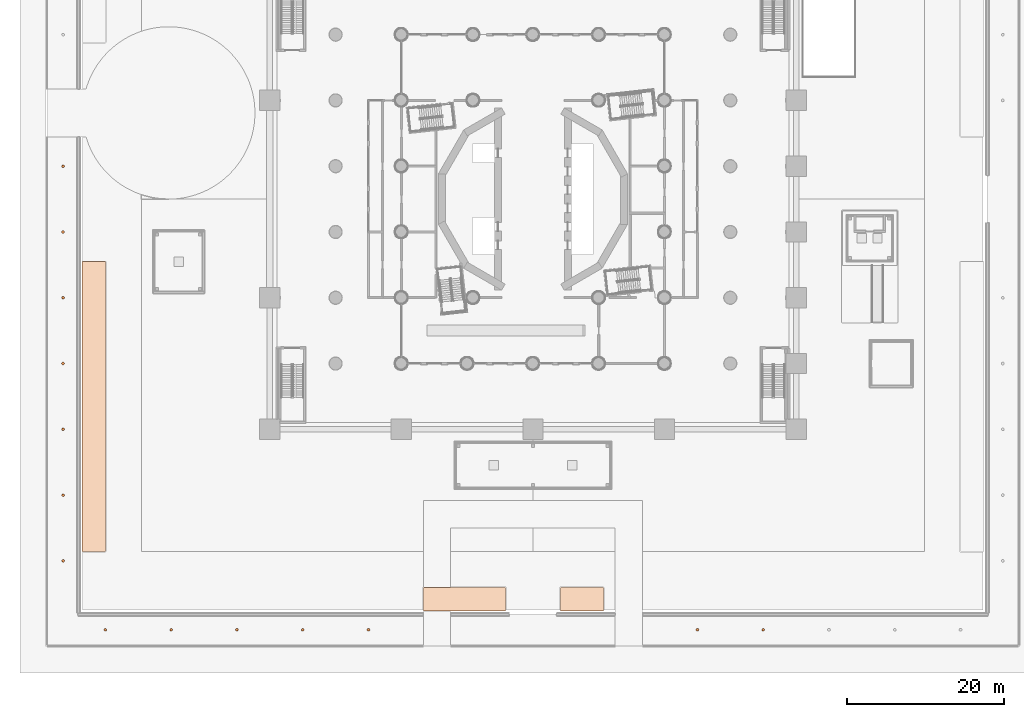
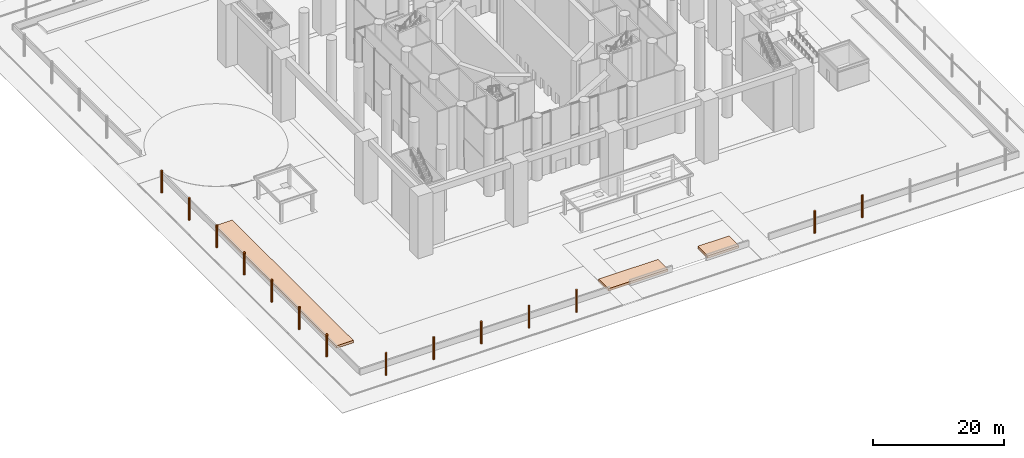
# One storey, part 49 of 52: 17 geographic elements.
"""IFC4 building model written with IfcOpenShell, lengths in metres."""

from ifc_helpers import new_model, si_unit, direction, frame, origin, origin_2d, place, context, subcontext, project, spatial, polyline, circle, outline, extrude, material, material_profile, profile_set, type_object, element, save


model = new_model("IFC4")

# Units and contexts
model_context = context("Model", 3, precision=1e-05, world=origin(), true_north=direction((0.0, 1.0)))
body_context = subcontext(model_context, "Body", "Model", "MODEL_VIEW")
ifc_project = project(units=[si_unit("LENGTHUNIT", "METRE"), si_unit("AREAUNIT", "SQUARE_METRE"), si_unit("VOLUMEUNIT", "CUBIC_METRE"), si_unit("PLANEANGLEUNIT", "RADIAN"), si_unit("MASSUNIT", "GRAM", prefix="KILO")], contexts=[model_context])

# Site, building, storey
site_placement = place(None, origin())
site = spatial("IfcSite", under=ifc_project, at=site_placement, CompositionType="ELEMENT")
building_placement = place(site_placement, origin())
building = spatial("IfcBuilding", under=site, at=building_placement, Name="Cantera Rosa Tower", CompositionType="ELEMENT")
storey_placement = place(building_placement, origin())
storey = spatial("IfcBuildingStorey", under=building, at=storey_placement, Name="L00", CompositionType="ELEMENT", Elevation=0.0)

# Geographic elements
ifc_material_1 = material(Name="Planting soil")
geographic_element_type_1 = type_object("IfcGeographicElementType", Name="Planting bed 450", PredefinedType="USERDEFINED", material=ifc_material_1)
geographic_element_1_placement = place(storey_placement, origin())
element("IfcGeographicElement", 1, at=geographic_element_1_placement, inside=storey, type_object=geographic_element_type_1, Name="Entrance bed west", ObjectType="PLANTING_BED", PredefinedType="USERDEFINED", context=body_context, shape_type="SweptSolid", body=[
    extrude(outline(polyline([(-3.5, -52.60009765625), (-3.5, -49.60009765625), (-14.0, -49.60009765625), (-14.0, -52.60009765625), (-3.5, -52.60009765625)])), origin(), (0.0, 0.0, 1.0), 0.449951171875),
])
geographic_element_2_placement = place(storey_placement, origin())
element("IfcGeographicElement", 2, at=geographic_element_2_placement, inside=storey, type_object=geographic_element_type_1, Name="Entrance bed east", ObjectType="PLANTING_BED", PredefinedType="USERDEFINED", context=body_context, shape_type="SweptSolid", body=[
    extrude(outline(polyline([(9.0, -52.60009765625), (9.0, -49.60009765625), (3.5, -49.60009765625), (3.5, -52.60009765625), (9.0, -52.60009765625)])), origin(), (0.0, 0.0, 1.0), 0.449951171875),
])
geographic_element_3_placement = place(storey_placement, origin())
element("IfcGeographicElement", 3, at=geographic_element_3_placement, inside=storey, type_object=geographic_element_type_1, Name="West bed south", ObjectType="PLANTING_BED", PredefinedType="USERDEFINED", context=body_context, shape_type="SweptSolid", body=[
    extrude(outline(polyline([(-54.60009765625, -45.0), (-54.60009765625, -8.0), (-57.60009765625, -8.0), (-57.60009765625, -45.0), (-54.60009765625, -45.0)])), origin(), (0.0, 0.0, 1.0), 0.449951171875),
])
ifc_material_2 = material(Name="Timber", Category="wood")
ifc_material_profile = material_profile(ifc_material_2, circle(Radius=0.175048828125, at=origin_2d()), Name="Street tree 350")
ifc_profile_set = profile_set([ifc_material_profile], Name="Timber")
geographic_element_type_2 = type_object("IfcGeographicElementType", Name="Street tree 350", PredefinedType="USERDEFINED", material=ifc_profile_set)
for number, where, z_axis, x_axis, name in (
    (4, (-54.60009765625, -55.0, 0.0), (0.0, 0.0, 1.0), (1.0, 0.0, 0.0), "Street tree S0"),
    (5, (-46.199951171875, -55.0, 0.0), (0.0, 0.0, 1.0), (1.0, 0.0, 0.0), "Street tree S1"),
    (6, (-37.800048828125, -55.0, 0.0), (0.0, 0.0, 1.0), (1.0, 0.0, 0.0), "Street tree S2"),
    (7, (-29.39990234375, -55.0, 0.0), (0.0, 0.0, 1.0), (1.0, 0.0, 0.0), "Street tree S3"),
    (8, (-21.0, -55.0, 0.0), (0.0, 0.0, 1.0), (1.0, 0.0, 0.0), "Street tree S4"),
    (9, (21.0, -55.0, 0.0), (0.0, 0.0, 1.0), (1.0, 0.0, 0.0), "Street tree S5"),
    (10, (29.39990234375, -55.0, 0.0), (0.0, 0.0, 1.0), (1.0, 0.0, 0.0), "Street tree S6"),
    (11, (-60.0, -46.199951171875, 0.0), (0.0, 0.0, 1.0), (1.0, 0.0, 0.0), "Street tree W20"),
    (12, (-60.0, -37.800048828125, 0.0), (0.0, 0.0, 1.0), (1.0, 0.0, 0.0), "Street tree W21"),
    (13, (-60.0, -29.39990234375, 0.0), (0.0, 0.0, 1.0), (1.0, 0.0, 0.0), "Street tree W22"),
    (14, (-60.0, -21.0, 0.0), (0.0, 0.0, 1.0), (1.0, 0.0, 0.0), "Street tree W23"),
    (15, (-60.0, -12.60009765625, 0.0), (0.0, 0.0, 1.0), (1.0, 0.0, 0.0), "Street tree W24"),
    (16, (-60.0, -4.199951171875, 0.0), (0.0, 0.0, 1.0), (1.0, 0.0, 0.0), "Street tree W25"),
    (17, (-60.0, 4.199951171875, 0.0), (0.0, 0.0, 1.0), (1.0, 0.0, 0.0), "Street tree W26"),
):
    element("IfcGeographicElement", number, at=place(storey_placement, frame(where, z_axis=z_axis, x_axis=x_axis)), inside=storey, type_object=geographic_element_type_2, Name=name, ObjectType="TREE", PredefinedType="USERDEFINED", context=body_context, shape_type="SweptSolid", body=[
        extrude(circle(Radius=0.175048828125, at=origin_2d()), origin(), (0.0, 0.0, 1.0), 4.199951171875),
    ])

save(model, "model.ifc")
